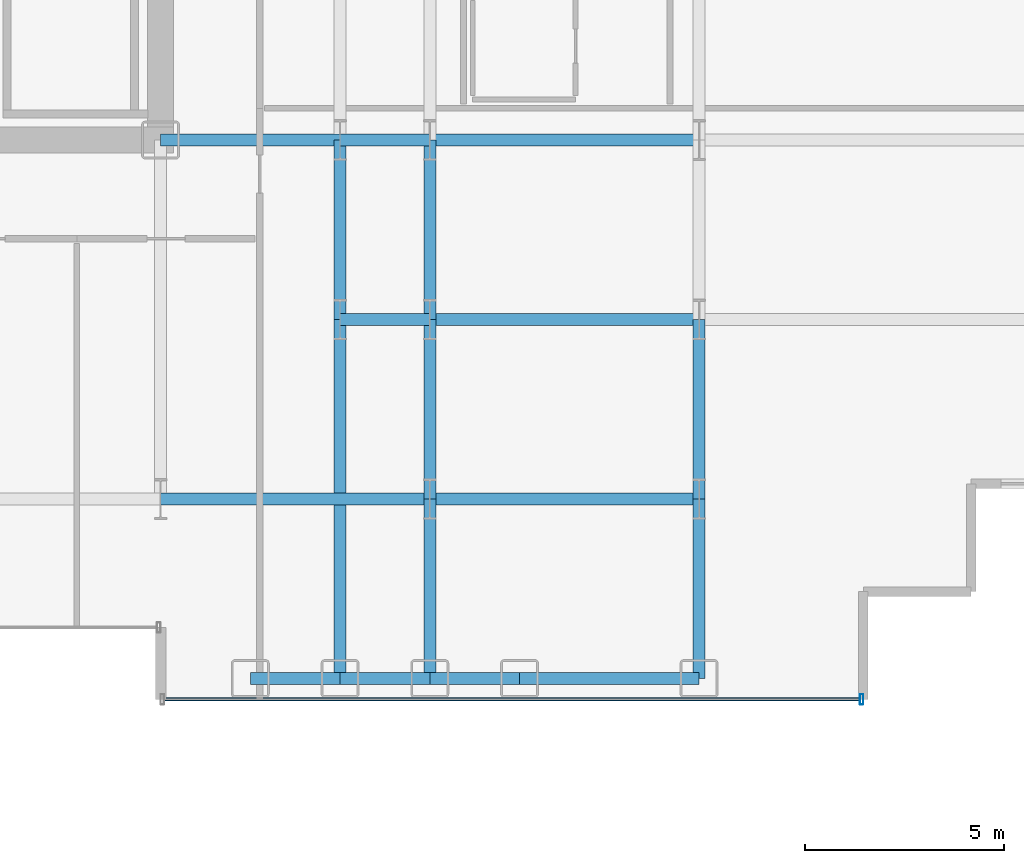
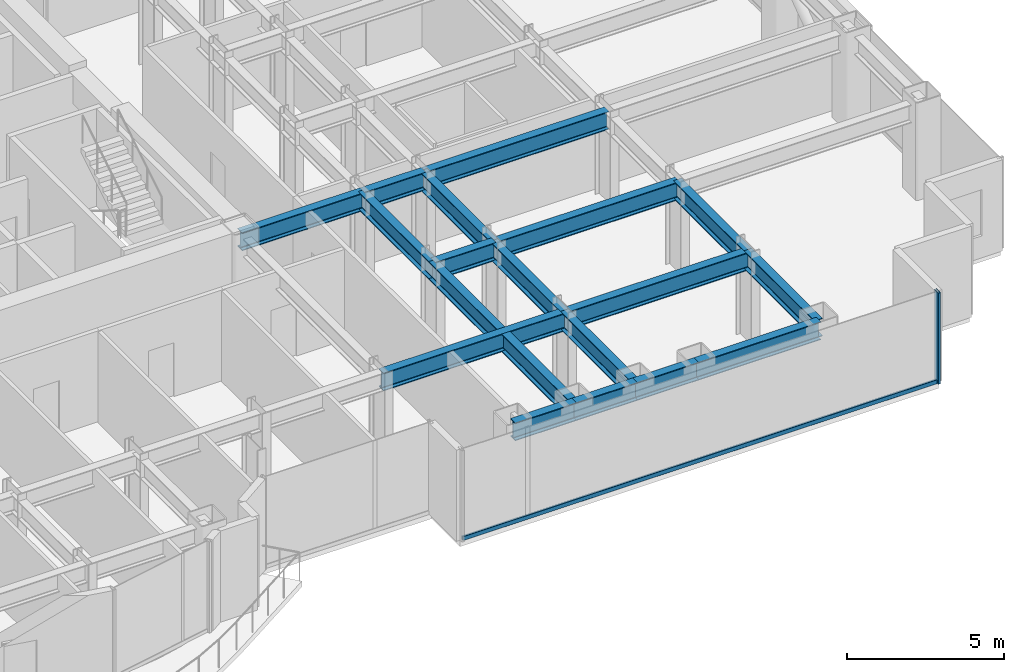
# One storey, part 9 of 29: 18 beams, 2 members, 1 element without a shape of its own.
"""IFC4 building model written with IfcOpenShell, lengths in metres."""

from ifc_helpers import new_model, si_unit, direction, frame, origin, origin_2d, place, context, subcontext, project, spatial, hollow_rectangle, i_section, extrude, source, transform, mapped, material, layer, layer_set, material_profile, profile_set, type_object, element, aggregate, save


model = new_model("IFC4")

# Units and contexts
model_context = context("Model", 3, precision=1e-05, world=origin(), true_north=direction((0.0, 1.0)))
body_context = subcontext(model_context, "Body", "Model", "MODEL_VIEW")
ifc_project = project(units=[si_unit("LENGTHUNIT", "METRE"), si_unit("AREAUNIT", "SQUARE_METRE"), si_unit("VOLUMEUNIT", "CUBIC_METRE"), si_unit("PLANEANGLEUNIT", "RADIAN"), si_unit("MASSUNIT", "GRAM", prefix="KILO")], contexts=[model_context])

# Site, building, storey
site_placement = place(None, origin())
site = spatial("IfcSite", under=ifc_project, at=site_placement, CompositionType="ELEMENT")
building_placement = place(site_placement, origin())
building = spatial("IfcBuilding", under=site, at=building_placement, Name="Nefas-Gora Pilgrimage Tower", CompositionType="ELEMENT")
storey_placement = place(building_placement, frame((0.0, 0.0, 78.60009765625)))
storey = spatial("IfcBuildingStorey", under=building, at=storey_placement, Name="L18", CompositionType="ELEMENT", Elevation=78.60009765625)

# Beams
ifc_material_1 = material(Name="Steel S355", Category="steel")
ifc_material_profile_1 = material_profile(ifc_material_1, i_section(OverallWidth=0.300048828125, OverallDepth=0.699951171875, WebThickness=0.01708984375, FlangeThickness=0.031982421875, FilletRadius=0.027099609375, at=origin_2d()), Name="HEB 700")
ifc_profile_set_1 = profile_set([ifc_material_profile_1], Name="Steel S355")
beam_type_1 = type_object("IfcBeamType", Name="BM-SPN-HEB600", PredefinedType="SPANDREL", material=ifc_profile_set_1)
shared_shape_1 = source(origin(), body_context, "Body", "SweptSolid", [
    extrude(i_section(OverallWidth=0.300048828125, OverallDepth=0.699951171875, WebThickness=0.01708984375, FlangeThickness=0.031982421875, FilletRadius=0.027099609375, at=origin_2d()), origin(), (0.0, 0.0, 1.0), 4.5),
])
beam_1_placement = place(storey_placement, frame((20.25, -22.5, 3.199951171875), z_axis=(1.0, 0.0, 0.0), x_axis=(0.0, 1.0, 0.0)))
element("IfcBeam", 1, at=beam_1_placement, inside=storey, type_object=beam_type_1, Name="L18 SP-01 beam", PredefinedType="SPANDREL", context=body_context, shape_type="MappedRepresentation", body=[
    mapped(shared_shape_1, transform((0.0, 0.0, 0.0), x_axis=(1.0, 0.0, 0.0), y_axis=(0.0, 1.0, 0.0), z_axis=(0.0, 0.0, 1.0), scale=1.0)),
])
ifc_material_profile_2 = material_profile(ifc_material_1, i_section(OverallWidth=0.300048828125, OverallDepth=0.699951171875, WebThickness=0.01708984375, FlangeThickness=0.031982421875, FilletRadius=0.027099609375, at=origin_2d()), Name="HEB 700")
ifc_profile_set_2 = profile_set([ifc_material_profile_2], Name="Steel S355")
beam_type_2 = type_object("IfcBeamType", Name="BM-GIR-HEB700", PredefinedType="BEAM", material=ifc_profile_set_2)
shared_shape_2 = source(origin(), body_context, "Body", "SweptSolid", [
    extrude(i_section(OverallWidth=0.300048828125, OverallDepth=0.699951171875, WebThickness=0.01708984375, FlangeThickness=0.031982421875, FilletRadius=0.027099609375, at=origin_2d()), origin(), (0.0, 0.0, 1.0), 9.0),
])
beam_2_placement = place(storey_placement, frame((15.75, -22.5, 3.199951171875), z_axis=(0.0, 1.0, 0.0), x_axis=(-1.0, 0.0, 0.0)))
element("IfcBeam", 2, at=beam_2_placement, inside=storey, type_object=beam_type_2, Name="L18 G-02 beam", PredefinedType="BEAM", context=body_context, shape_type="MappedRepresentation", body=[
    mapped(shared_shape_2, transform((0.0, 0.0, 0.0), x_axis=(1.0, 0.0, 0.0), y_axis=(0.0, 1.0, 0.0), z_axis=(0.0, 0.0, 1.0), scale=1.0)),
])
shared_shape_3 = source(origin(), body_context, "Body", "SweptSolid", [
    extrude(i_section(OverallWidth=0.300048828125, OverallDepth=0.699951171875, WebThickness=0.01708984375, FlangeThickness=0.031982421875, FilletRadius=0.027099609375, at=origin_2d()), origin(), (0.0, 0.0, 1.0), 4.5),
])
for number, where, z_axis, x_axis, name in (
    (3, (11.25, -9.0, 3.199951171875), (1.0, 0.0, 0.0), (0.0, 1.0, 0.0), "L18 G-02 beam"),
    (4, (15.75, -13.5, 3.199951171875), (0.0, 1.0, 0.0), (-1.0, 0.0, 0.0), "L18 G-02 beam"),
    (5, (18.0, -22.5, 3.199951171875), (0.0, 1.0, 0.0), (-1.0, 0.0, 0.0), "L18 G-02 beam"),
    (6, (18.0, -18.0, 3.199951171875), (0.0, 1.0, 0.0), (-1.0, 0.0, 0.0), "L18 G-02 beam"),
    (7, (18.0, -13.5, 3.199951171875), (0.0, 1.0, 0.0), (-1.0, 0.0, 0.0), "L18 G-02 beam"),
    (8, (24.75, -22.5, 3.199951171875), (0.0, 1.0, 0.0), (-1.0, 0.0, 0.0), "L18 G-02 beam"),
    (9, (24.75, -18.0, 3.199951171875), (0.0, 1.0, 0.0), (-1.0, 0.0, 0.0), "L18 G-02 beam"),
):
    element("IfcBeam", number, at=place(storey_placement, frame(where, z_axis=z_axis, x_axis=x_axis)), inside=storey, type_object=beam_type_2, Name=name, PredefinedType="BEAM", context=body_context, shape_type="MappedRepresentation", body=[
        mapped(shared_shape_3, transform((0.0, 0.0, 0.0), x_axis=(1.0, 0.0, 0.0), y_axis=(0.0, 1.0, 0.0), z_axis=(0.0, 0.0, 1.0), scale=1.0)),
    ])
shared_shape_4 = source(origin(), body_context, "Body", "SweptSolid", [
    extrude(i_section(OverallWidth=0.300048828125, OverallDepth=0.699951171875, WebThickness=0.01708984375, FlangeThickness=0.031982421875, FilletRadius=0.027099609375, at=origin_2d()), origin(), (0.0, 0.0, 1.0), 6.75),
])
for number, where, z_axis, x_axis, name in (
    (10, (11.25, -18.0, 3.199951171875), (1.0, 0.0, 0.0), (0.0, 1.0, 0.0), "L18 G-02 beam"),
    (11, (18.0, -18.0, 3.199951171875), (1.0, 0.0, 0.0), (0.0, 1.0, 0.0), "L18 G-02 beam"),
    (12, (18.0, -13.5, 3.199951171875), (1.0, 0.0, 0.0), (0.0, 1.0, 0.0), "L18 G-02 beam"),
    (13, (18.0, -9.0, 3.199951171875), (1.0, 0.0, 0.0), (0.0, 1.0, 0.0), "L18 G-02 beam"),
):
    element("IfcBeam", number, at=place(storey_placement, frame(where, z_axis=z_axis, x_axis=x_axis)), inside=storey, type_object=beam_type_2, Name=name, PredefinedType="BEAM", context=body_context, shape_type="MappedRepresentation", body=[
        mapped(shared_shape_4, transform((0.0, 0.0, 0.0), x_axis=(1.0, 0.0, 0.0), y_axis=(0.0, 1.0, 0.0), z_axis=(0.0, 0.0, 1.0), scale=1.0)),
    ])
shared_shape_5 = source(origin(), body_context, "Body", "SweptSolid", [
    extrude(i_section(OverallWidth=0.300048828125, OverallDepth=0.699951171875, WebThickness=0.01708984375, FlangeThickness=0.031982421875, FilletRadius=0.027099609375, at=origin_2d()), origin(), (0.0, 0.0, 1.0), 2.25),
])
for number, where, z_axis, x_axis, name in (
    (14, (13.5, -22.5, 3.199951171875), (1.0, 0.0, 0.0), (0.0, 1.0, 0.0), "L18 SP-01 beam"),
    (15, (15.75, -22.5, 3.199951171875), (1.0, 0.0, 0.0), (0.0, 1.0, 0.0), "L18 SP-01 beam"),
    (16, (18.0, -22.5, 3.199951171875), (1.0, 0.0, 0.0), (0.0, 1.0, 0.0), "L18 SP-01 beam"),
):
    element("IfcBeam", number, at=place(storey_placement, frame(where, z_axis=z_axis, x_axis=x_axis)), inside=storey, type_object=beam_type_1, Name=name, PredefinedType="SPANDREL", context=body_context, shape_type="MappedRepresentation", body=[
        mapped(shared_shape_5, transform((0.0, 0.0, 0.0), x_axis=(1.0, 0.0, 0.0), y_axis=(0.0, 1.0, 0.0), z_axis=(0.0, 0.0, 1.0), scale=1.0)),
    ])
shared_shape_6 = source(origin(), body_context, "Body", "SweptSolid", [
    extrude(i_section(OverallWidth=0.300048828125, OverallDepth=0.699951171875, WebThickness=0.01708984375, FlangeThickness=0.031982421875, FilletRadius=0.027099609375, at=origin_2d()), origin(), (0.0, 0.0, 1.0), 2.25),
])
for number, where, z_axis, x_axis, name in (
    (17, (15.75, -13.5, 3.199951171875), (1.0, 0.0, 0.0), (0.0, 1.0, 0.0), "L18 G-02 beam"),
    (18, (15.75, -9.0, 3.199951171875), (1.0, 0.0, 0.0), (0.0, 1.0, 0.0), "L18 G-02 beam"),
):
    element("IfcBeam", number, at=place(storey_placement, frame(where, z_axis=z_axis, x_axis=x_axis)), inside=storey, type_object=beam_type_2, Name=name, PredefinedType="BEAM", context=body_context, shape_type="MappedRepresentation", body=[
        mapped(shared_shape_6, transform((0.0, 0.0, 0.0), x_axis=(1.0, 0.0, 0.0), y_axis=(0.0, 1.0, 0.0), z_axis=(0.0, 0.0, 1.0), scale=1.0)),
    ])

# Curtain wall, members
ifc_material_2 = material(Name="Dark ceramic-fritted solar-control aluminium-glass curtain wall", Category="aluminium")
ifc_layer = layer(ifc_material_2, 0.219970703125)
ifc_layer_set = layer_set([ifc_layer], Name="Dark ceramic-fritted solar-control aluminium-glass curtain wall")
curtain_wall_type = type_object("IfcCurtainWallType", Name="CW-SYS-2", PredefinedType="NOTDEFINED", material=ifc_layer_set)
curtain_wall_placement = place(storey_placement, origin())
curtain_wall = element("IfcCurtainWall", 19, at=curtain_wall_placement, inside=storey, type_object=curtain_wall_type, Name="L18 Unitised Curtain Wall CW2", PredefinedType="NOTDEFINED")
ifc_material_3 = material(Name="Anodised architectural aluminium", Category="aluminium")
ifc_material_profile_3 = material_profile(ifc_material_3, hollow_rectangle(XDim=0.080078125, YDim=0.159912109375, WallThickness=0.00439453125, InnerFilletRadius=0.00439453125, OuterFilletRadius=0.009033203125, at=origin_2d()), Name="ALU TRANSOM 80x160")
ifc_profile_set_3 = profile_set([ifc_material_profile_3], Name="Anodised architectural aluminium")
member_type_1 = type_object("IfcMemberType", Name="CWM-TRN-2", PredefinedType="USERDEFINED", material=ifc_profile_set_3)
shared_shape_7 = source(origin(), body_context, "Body", "SweptSolid", [
    extrude(hollow_rectangle(XDim=0.080078125, YDim=0.159912109375, WallThickness=0.00439453125, InnerFilletRadius=0.00439453125, OuterFilletRadius=0.009033203125, at=origin_2d()), origin(), (0.0, 0.0, 1.0), 17.43994140625),
])
member_1_placement = place(storey_placement, frame((11.340087890625, -23.02001953125, 0.0498046875), z_axis=(1.0, 0.0, 0.0), x_axis=(0.0, 1.0, 0.0)))
member_1 = element("IfcMember", 20, at=member_1_placement, type_object=member_type_1, Name="CW2 Spandrel Transom", ObjectType="TRANSOM", PredefinedType="USERDEFINED", context=body_context, shape_type="MappedRepresentation", body=[
    mapped(shared_shape_7, transform((0.0, 0.0, 0.0), x_axis=(1.0, 0.0, 0.0), y_axis=(0.0, 1.0, 0.0), z_axis=(0.0, 0.0, 1.0), scale=1.0)),
])
ifc_material_profile_4 = material_profile(ifc_material_3, hollow_rectangle(XDim=0.090087890625, YDim=0.260009765625, WallThickness=0.006103515625, InnerFilletRadius=0.006103515625, OuterFilletRadius=0.011962890625, at=origin_2d()), Name="ALU MULLION 90x260")
ifc_profile_set_4 = profile_set([ifc_material_profile_4], Name="Anodised architectural aluminium")
member_type_2 = type_object("IfcMemberType", Name="CWM-MUL-2", PredefinedType="MULLION", material=ifc_profile_set_4)
shared_shape_8 = source(origin(), body_context, "Body", "SweptSolid", [
    extrude(hollow_rectangle(XDim=0.090087890625, YDim=0.260009765625, WallThickness=0.006103515625, InnerFilletRadius=0.006103515625, OuterFilletRadius=0.011962890625, at=origin_2d()), origin(), (0.0, 0.0, 1.0), 3.5498046875),
])
member_2_placement = place(storey_placement, frame((28.824951171875, -23.02001953125, 0.0), z_axis=(0.0, 0.0, 1.0), x_axis=(1.0, 0.0, 0.0)))
member_2 = element("IfcMember", 21, at=member_2_placement, type_object=member_type_2, Name="CW2 Mullion 2", PredefinedType="MULLION", context=body_context, shape_type="MappedRepresentation", body=[
    mapped(shared_shape_8, transform((0.0, 0.0, 0.0), x_axis=(1.0, 0.0, 0.0), y_axis=(0.0, 1.0, 0.0), z_axis=(0.0, 0.0, 1.0), scale=1.0)),
])
aggregate(curtain_wall, [member_2, member_1])

save(model, "model.ifc")
